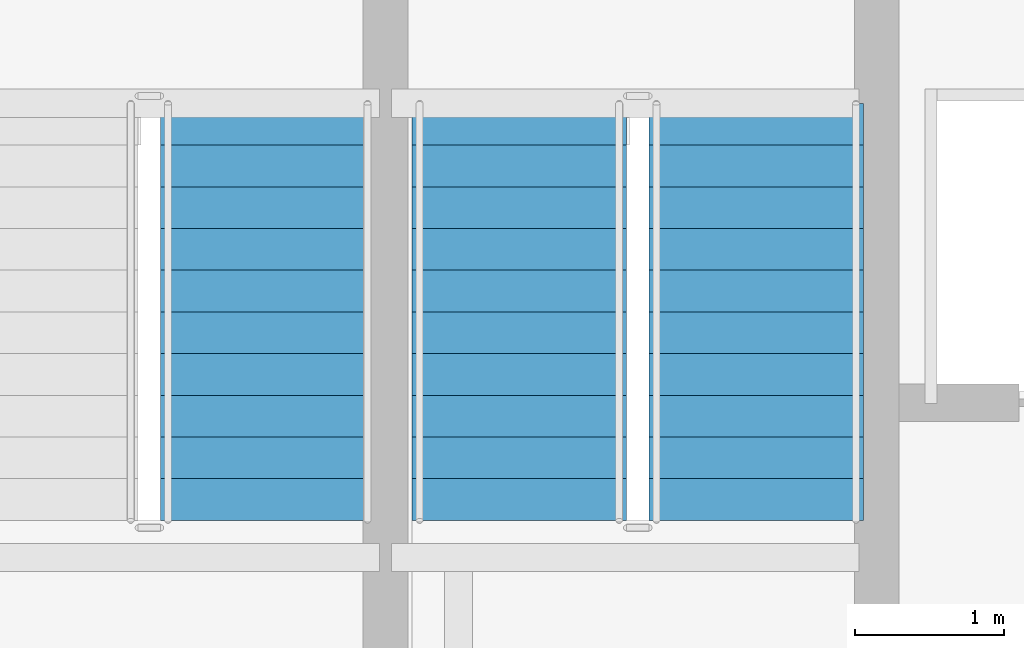
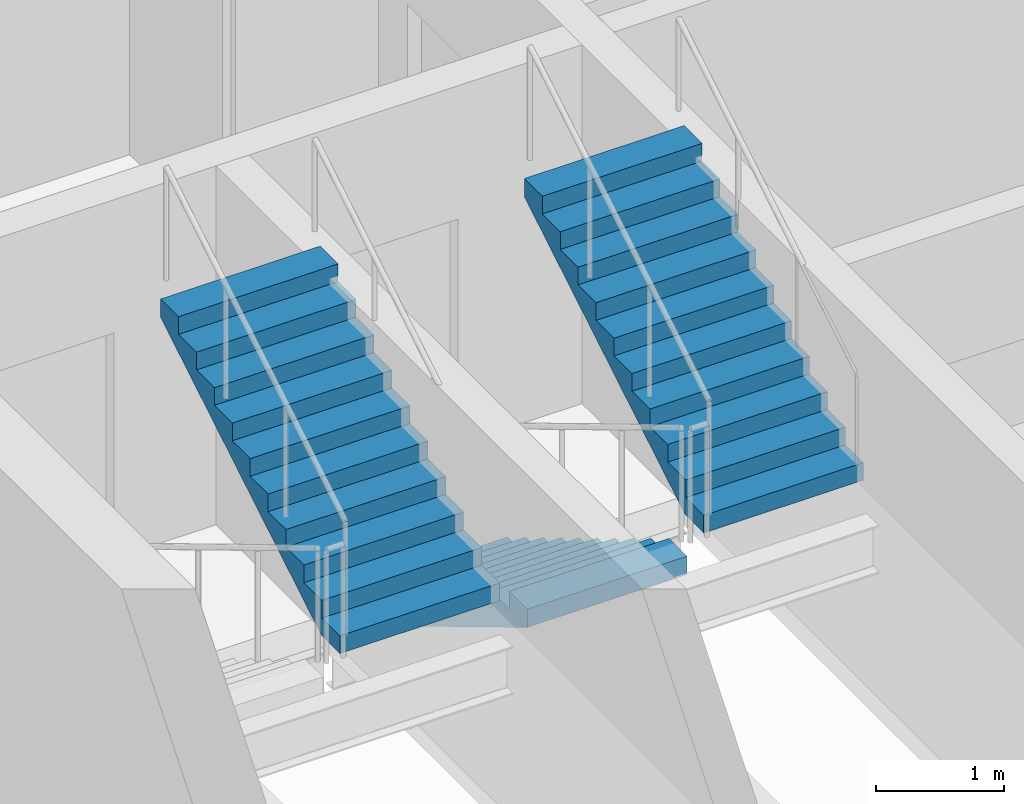
# One storey, part 22 of 28: 3 stair flights, 2 elements without a shape of their own.
"""IFC4 building model written with IfcOpenShell, lengths in metres."""

import ifcopenshell
import ifcopenshell.guid

model = None  # the IFC model being written
_history = None  # IfcOwnerHistory: only IFC2X3 demands one
_inside = {}  # id of a spatial element -> (the spatial element, [elements in it])
_under = {}  # id of a project, library or spatial element -> (it, [spatial elements below it])
_declared = {}  # id of a project -> (the project, [libraries it declares])
_typed = {}  # id of a type object -> (the type object, [elements of that type])
_made_of = {}  # id of a material, layer set ... -> (it, [elements and type objects made of it])


def new_model(schema):
    """Start an empty IFC model of exactly this schema.

    Asked for "IFC4X3", IfcOpenShell would pick the latest addendum, in which some entities
    have other attributes; the version numbers below select the first issue.
    IFC2X3 requires an IfcOwnerHistory on every rooted entity: one is made here for all.
    """
    global model, _history
    if schema == "IFC4X3":
        model = ifcopenshell.file(schema_version=(4, 3, 0, 0))
    else:
        model = ifcopenshell.file(schema=schema)
    _inside.clear()
    _under.clear()
    _declared.clear()
    _typed.clear()
    _made_of.clear()
    _history = None
    if model.schema == "IFC2X3":
        org = make("IfcOrganization", Name="unknown")
        user = make(
            "IfcPersonAndOrganization",
            ThePerson=make("IfcPerson", FamilyName="unknown"),
            TheOrganization=org,
        )
        app = make(
            "IfcApplication",
            ApplicationDeveloper=org,
            Version="unknown",
            ApplicationFullName="unknown",
            ApplicationIdentifier="unknown",
        )
        _history = make(
            "IfcOwnerHistory",
            OwningUser=user,
            OwningApplication=app,
            ChangeAction="ADDED",
            CreationDate=0,
        )
    return model


def make(cls, **values):
    """One entity of the class cls with the attributes given. An attribute that is None is left unset."""
    return model.create_entity(
        cls, **{name: value for name, value in values.items() if value is not None}
    )


def rooted(cls, **values):
    """An entity with a GlobalId (a new one), such as an element, a storey or a relation."""
    return make(cls, GlobalId=ifcopenshell.guid.new(), OwnerHistory=_history, **values)


def si_unit(unit_type, name, prefix=None):
    """IfcSIUnit, for example si_unit("LENGTHUNIT", "METRE", prefix="MILLI")."""
    return make("IfcSIUnit", UnitType=unit_type, Prefix=prefix, Name=name)


def assignment(units):
    """IfcUnitAssignment: the units of a project."""
    return None if units is None else make("IfcUnitAssignment", Units=units)


def point(xyz):
    """IfcCartesianPoint."""
    return None if xyz is None else make("IfcCartesianPoint", Coordinates=xyz)


def direction(xyz):
    """IfcDirection."""
    return None if xyz is None else make("IfcDirection", DirectionRatios=xyz)


def frame(location, z_axis=None, x_axis=None):
    """IfcAxis2Placement3D, a coordinate frame: its origin and axes. An axis left out is left unset."""
    return make(
        "IfcAxis2Placement3D",
        Location=point(location),
        Axis=direction(z_axis),
        RefDirection=direction(x_axis),
    )


def origin():
    """The frame at (0, 0, 0) with its axes left unset."""
    return frame((0.0, 0.0, 0.0))


def place(relative_to, where):
    """IfcLocalPlacement: puts the frame where relative to a parent placement (None: the world)."""
    return make(
        "IfcLocalPlacement", PlacementRelTo=relative_to, RelativePlacement=where
    )


def context(
    kind, dimensions, precision=None, world=None, true_north=None, identifier=None
):
    """IfcGeometricRepresentationContext, for example the 3D "Model" context."""
    return make(
        "IfcGeometricRepresentationContext",
        ContextIdentifier=identifier,
        ContextType=kind,
        CoordinateSpaceDimension=dimensions,
        Precision=precision,
        WorldCoordinateSystem=world,
        TrueNorth=true_north,
    )


def subcontext(parent, identifier, kind, view, scale=None):
    """IfcGeometricRepresentationSubContext, for example "Body" below "Model"."""
    return make(
        "IfcGeometricRepresentationSubContext",
        ContextIdentifier=identifier,
        ContextType=kind,
        ParentContext=parent,
        TargetScale=scale,
        TargetView=view,
    )


def project(units=None, contexts=None):
    """IfcProject with its units and contexts."""
    return rooted(
        "IfcProject",
        Name="project",
        RepresentationContexts=contexts,
        UnitsInContext=assignment(units),
    )


def spatial(cls, under=None, at=None, **own):
    """A site, building, storey or space (cls), placed at a placement, below another one or the project."""
    s = rooted(cls, ObjectPlacement=at, **own)
    if under is not None:
        _under.setdefault(under.id(), (under, []))[1].append(s)
    return s


def polyline(points):
    """IfcPolyline through the points."""
    return make("IfcPolyline", Points=[point(p) for p in points])


def outline(outer, holes=None, kind="AREA"):
    """IfcArbitraryClosedProfileDef: a profile drawn as a closed curve; with holes, ...WithVoids."""
    if holes is None:
        return make("IfcArbitraryClosedProfileDef", ProfileType=kind, OuterCurve=outer)
    return make(
        "IfcArbitraryProfileDefWithVoids",
        ProfileType=kind,
        OuterCurve=outer,
        InnerCurves=holes,
    )


def extrude(swept, where, along, depth):
    """IfcExtrudedAreaSolid: the profile swept, set in the frame where, extruded along a direction by depth."""
    return make(
        "IfcExtrudedAreaSolid",
        SweptArea=swept,
        Position=where,
        ExtrudedDirection=direction(along),
        Depth=depth,
    )


def shape(context_of_items, identifier, shape_type, items):
    """IfcShapeRepresentation: the items that make up one representation, for example the "Body"."""
    return make(
        "IfcShapeRepresentation",
        ContextOfItems=context_of_items,
        RepresentationIdentifier=identifier,
        RepresentationType=shape_type,
        Items=items,
    )


def material(Name=None, Category=None):
    """IfcMaterial."""
    return make("IfcMaterial", Name=Name, Category=Category)


def layer(
    of_material, thickness, ventilated=None, Name=None, Category=None, Priority=None
):
    """IfcMaterialLayer: one layer of a wall or slab, of a material (None: an air gap)."""
    return make(
        "IfcMaterialLayer",
        Material=of_material,
        LayerThickness=thickness,
        IsVentilated=ventilated,
        Name=Name,
        Category=Category,
        Priority=Priority,
    )


def layer_set(layers, Name=None):
    """IfcMaterialLayerSet."""
    return make("IfcMaterialLayerSet", MaterialLayers=layers, LayerSetName=Name)


def made_of(thing, what):
    """Note that an element or type object is made of a material, layer set ...; save() writes the relation."""
    if what is not None:
        _made_of.setdefault(what.id(), (what, []))[1].append(thing)
    return thing


def type_object(cls, material=None, **own):
    """A type object (cls), such as IfcWallType, which elements share."""
    return made_of(rooted(cls, **own), material)


def element(
    cls,
    number,
    at=None,
    inside=None,
    cuts=None,
    type_object=None,
    material=None,
    context=None,
    identifier="Body",
    shape_type=None,
    held_by="IfcProductDefinitionShape",
    body=None,
    shapes=None,
    **own,
):
    """One element of the class cls, such as IfcWall. Its Tag is "e" and its number.

    at: its placement. inside: the storey or other place that contains it. cuts: it is an
    opening in that element (IfcRelVoidsElement). A single representation is given by context,
    identifier, shape_type and body (its items); several are given by shapes. held_by: the class
    of the entity that holds the representations. save() writes the other relations.
    """
    e = rooted(cls, Tag="e%d" % number, ObjectPlacement=at, **own)
    if body is not None:
        shapes = [shape(context, identifier, shape_type, body)]
    if shapes is not None:
        e.Representation = make(held_by, Representations=shapes)
    if inside is not None:
        _inside.setdefault(inside.id(), (inside, []))[1].append(e)
    if cuts is not None:
        rooted(
            "IfcRelVoidsElement", RelatingBuildingElement=cuts, RelatedOpeningElement=e
        )
    if type_object is not None:
        _typed.setdefault(type_object.id(), (type_object, []))[1].append(e)
    return made_of(e, material)


def aggregate(whole, parts):
    """IfcRelAggregates: a whole, such as a stair, and the parts it consists of."""
    return rooted("IfcRelAggregates", RelatingObject=whole, RelatedObjects=parts)


def save(model, path):
    """Write the relations noted so far, then the file.

    IfcRelAggregates (storeys below a building ...), IfcRelContainedInSpatialStructure (elements
    in a storey), IfcRelDefinesByType, IfcRelAssociatesMaterial and IfcRelDeclares: one each for
    every whole, place, type object, material and project.
    """
    for whole, parts in _under.values():
        aggregate(whole, parts)
    for where, things in _inside.values():
        rooted(
            "IfcRelContainedInSpatialStructure",
            RelatedElements=things,
            RelatingStructure=where,
        )
    for kind, things in _typed.values():
        rooted("IfcRelDefinesByType", RelatedObjects=things, RelatingType=kind)
    for what, things in _made_of.values():
        rooted("IfcRelAssociatesMaterial", RelatedObjects=things, RelatingMaterial=what)
    for by, libraries in _declared.values():
        rooted("IfcRelDeclares", RelatingContext=by, RelatedDefinitions=libraries)
    model.write(path)


model = new_model("IFC4")

# Units and contexts
model_context = context("Model", 3, precision=1e-05, world=origin(), true_north=direction((0.0, 1.0)))
body_context = subcontext(model_context, "Body", "Model", "MODEL_VIEW")
ifc_project = project(units=[si_unit("LENGTHUNIT", "METRE"), si_unit("AREAUNIT", "SQUARE_METRE"), si_unit("VOLUMEUNIT", "CUBIC_METRE"), si_unit("PLANEANGLEUNIT", "RADIAN"), si_unit("MASSUNIT", "GRAM", prefix="KILO")], contexts=[model_context])

# Site, building, storey
site_placement = place(None, origin())
site = spatial("IfcSite", under=ifc_project, at=site_placement, CompositionType="ELEMENT")
building_placement = place(site_placement, origin())
building = spatial("IfcBuilding", under=site, at=building_placement, Name="Solvaryn Broadcast Tower", CompositionType="ELEMENT")
storey_placement = place(building_placement, frame((0.0, 0.0, 213.60009765625)))
storey = spatial("IfcBuildingStorey", under=building, at=storey_placement, Name="L53", CompositionType="ELEMENT", Elevation=213.60009765625)

# Stair, stair flight
ifc_material_1 = material(Name="Concrete f'c 60 MPa", Category="concrete")
stair_type = type_object("IfcStairType", Name="ST-CORE", PredefinedType="HALF_TURN_STAIR", material=ifc_material_1)
stair_1_placement = place(storey_placement, origin())
stair_1 = element("IfcStair", 1, at=stair_1_placement, inside=storey, type_object=stair_type, Name="L53 ST1", PredefinedType="HALF_TURN_STAIR")
ifc_material_2 = material(Name="Concrete f'c 60 MPa", Category="concrete")
ifc_layer = layer(ifc_material_2, 0.159912109375)
ifc_layer_set = layer_set([ifc_layer], Name="SF-CORE")
stair_flight_type = type_object("IfcStairFlightType", Name="SF-CORE", PredefinedType="STRAIGHT", material=ifc_layer_set)
stair_flight_1_placement = place(storey_placement, frame((13.830078125, 33.159912109375, 1.849853515625), z_axis=(0.0, 0.0, 1.0), x_axis=(0.0, 1.0, 0.0)))
stair_flight_1 = element("IfcStairFlight", 2, at=stair_flight_1_placement, type_object=stair_flight_type, Name="ST1 flight 2", NumberOfRisers=11, NumberOfTreads=10, PredefinedType="STRAIGHT", RiserHeight=0.168181818, TreadLength=0.28, context=body_context, shape_type="SweptSolid", body=[
    extrude(outline(polyline([(0.0, 0.0), (0.0, 0.168212890625), (0.280029296875, 0.168212890625), (0.280029296875, 0.33642578125), (0.56005859375, 0.33642578125), (0.56005859375, 0.504638671875), (0.840087890625, 0.504638671875), (0.840087890625, 0.672607421875), (1.1201171875, 0.672607421875), (1.1201171875, 0.8408203125), (1.39990234375, 0.8408203125), (1.39990234375, 1.009033203125), (1.679931640625, 1.009033203125), (1.679931640625, 1.17724609375), (1.9599609375, 1.17724609375), (1.9599609375, 1.345458984375), (2.239990234375, 1.345458984375), (2.239990234375, 1.513671875), (2.52001953125, 1.513671875), (2.52001953125, 1.681884765625), (2.800048828125, 1.681884765625), (2.800048828125, 1.85009765625), (2.800048828125, 1.5068359375), (0.291015625, 0.0), (0.0, 0.0)])), frame((0.0, 0.719970703125, 0.0), z_axis=(0.0, -1.0, 0.0), x_axis=(1.0, 0.0, 0.0)), (0.0, 0.0, 1.0), 1.43994140625),
])
aggregate(stair_1, [stair_flight_1])

# Stair, stair flights
stair_2_placement = place(storey_placement, origin())
stair_2 = element("IfcStair", 3, at=stair_2_placement, inside=storey, type_object=stair_type, Name="L53 ST2", PredefinedType="HALF_TURN_STAIR")
stair_flight_2_placement = place(storey_placement, frame((15.52001953125, 35.9599609375, 0.0), z_axis=(0.0, 0.0, 1.0), x_axis=(0.0, -1.0, 0.0)))
stair_flight_2 = element("IfcStairFlight", 4, at=stair_flight_2_placement, type_object=stair_flight_type, Name="ST2 flight 1", NumberOfRisers=11, NumberOfTreads=10, PredefinedType="STRAIGHT", RiserHeight=0.168181818, TreadLength=0.28, context=body_context, shape_type="SweptSolid", body=[
    extrude(outline(polyline([(0.0, 0.0), (0.0, 0.168212890625), (0.280029296875, 0.168212890625), (0.280029296875, 0.33642578125), (0.56005859375, 0.33642578125), (0.56005859375, 0.504638671875), (0.840087890625, 0.504638671875), (0.840087890625, 0.672607421875), (1.1201171875, 0.672607421875), (1.1201171875, 0.8408203125), (1.39990234375, 0.8408203125), (1.39990234375, 1.009033203125), (1.679931640625, 1.009033203125), (1.679931640625, 1.17724609375), (1.9599609375, 1.17724609375), (1.9599609375, 1.345458984375), (2.239990234375, 1.345458984375), (2.239990234375, 1.513671875), (2.52001953125, 1.513671875), (2.52001953125, 1.681884765625), (2.800048828125, 1.681884765625), (2.800048828125, 1.85009765625), (2.800048828125, 1.5068359375), (0.291015625, 0.0), (0.0, 0.0)])), frame((0.0, 0.719970703125, 0.0), z_axis=(0.0, -1.0, 0.0), x_axis=(1.0, 0.0, 0.0)), (0.0, 0.0, 1.0), 1.43994140625),
])
stair_flight_3_placement = place(storey_placement, frame((17.110107421875, 33.159912109375, 1.849853515625), z_axis=(0.0, 0.0, 1.0), x_axis=(0.0, 1.0, 0.0)))
stair_flight_3 = element("IfcStairFlight", 5, at=stair_flight_3_placement, type_object=stair_flight_type, Name="ST2 flight 2", NumberOfRisers=11, NumberOfTreads=10, PredefinedType="STRAIGHT", RiserHeight=0.168181818, TreadLength=0.28, context=body_context, shape_type="SweptSolid", body=[
    extrude(outline(polyline([(0.0, 0.0), (0.0, 0.168212890625), (0.280029296875, 0.168212890625), (0.280029296875, 0.33642578125), (0.56005859375, 0.33642578125), (0.56005859375, 0.504638671875), (0.840087890625, 0.504638671875), (0.840087890625, 0.672607421875), (1.1201171875, 0.672607421875), (1.1201171875, 0.8408203125), (1.39990234375, 0.8408203125), (1.39990234375, 1.009033203125), (1.679931640625, 1.009033203125), (1.679931640625, 1.17724609375), (1.9599609375, 1.17724609375), (1.9599609375, 1.345458984375), (2.239990234375, 1.345458984375), (2.239990234375, 1.513671875), (2.52001953125, 1.513671875), (2.52001953125, 1.681884765625), (2.800048828125, 1.681884765625), (2.800048828125, 1.85009765625), (2.800048828125, 1.5068359375), (0.291015625, 0.0), (0.0, 0.0)])), frame((0.0, 0.719970703125, 0.0), z_axis=(0.0, -1.0, 0.0), x_axis=(1.0, 0.0, 0.0)), (0.0, 0.0, 1.0), 1.43994140625),
])
aggregate(stair_2, [stair_flight_2, stair_flight_3])

save(model, "model.ifc")
